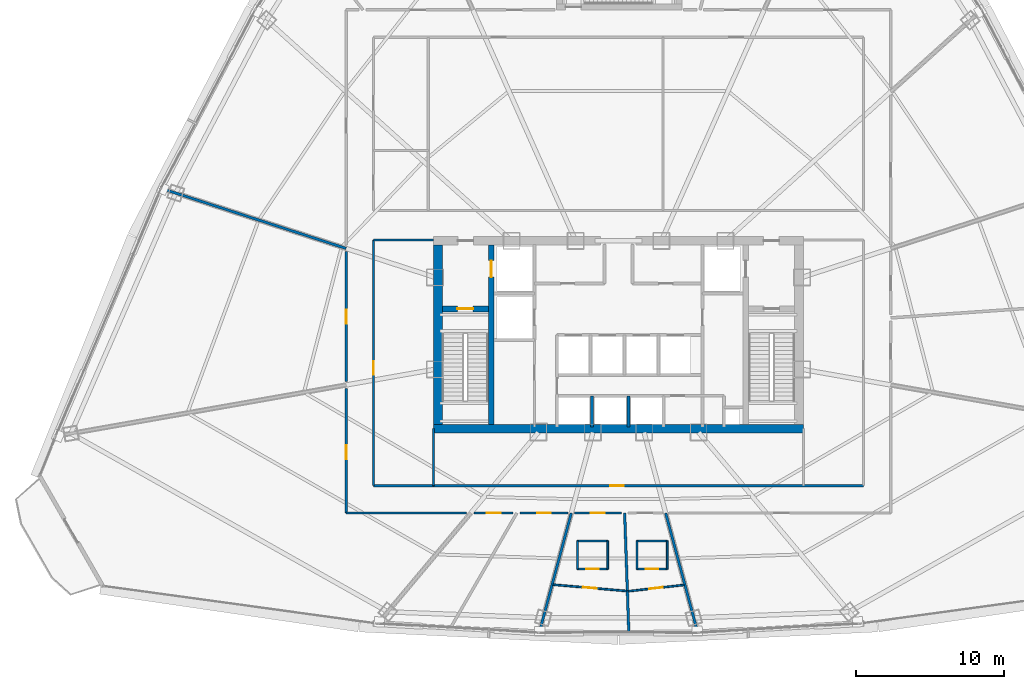
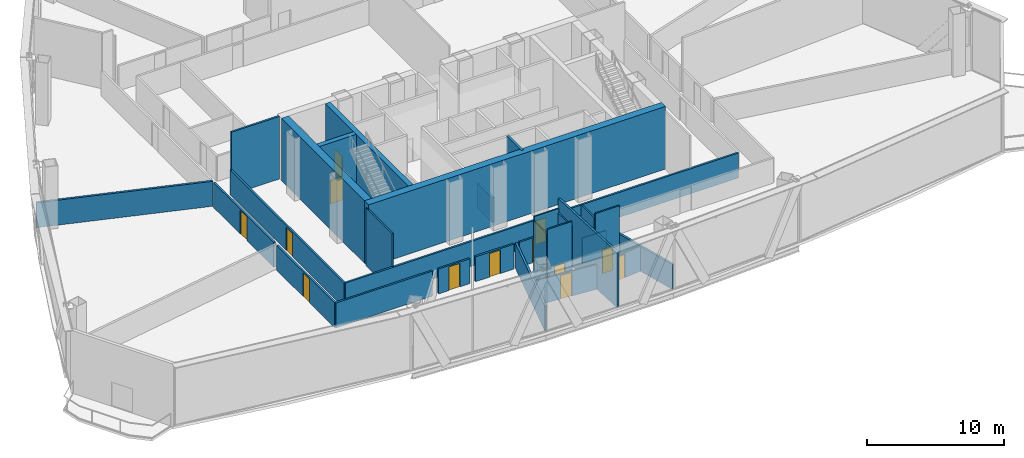
# One storey, part 33 of 40: 30 walls, 13 doors, 13 openings.
"""IFC4 building model written with IfcOpenShell, lengths in metres."""

from ifc_helpers import new_model, si_unit, direction, frame, frame_2d, origin, origin_with_axes, place, context, subcontext, project, spatial, rectangle, extrude, source, transform, mapped, material, layer, layer_set, type_object, element, fill, save


model = new_model("IFC4")

# Units and contexts
model_context = context("Model", 3, precision=1e-05, world=origin(), true_north=direction((0.0, 1.0)))
body_context = subcontext(model_context, "Body", "Model", "MODEL_VIEW")
ifc_project = project(units=[si_unit("LENGTHUNIT", "METRE"), si_unit("AREAUNIT", "SQUARE_METRE"), si_unit("VOLUMEUNIT", "CUBIC_METRE"), si_unit("PLANEANGLEUNIT", "RADIAN"), si_unit("MASSUNIT", "GRAM", prefix="KILO"), si_unit("THERMODYNAMICTEMPERATUREUNIT", "KELVIN"), si_unit("POWERUNIT", "WATT")], contexts=[model_context])

# Site, building, storey
site_placement = place(None, origin())
site = spatial("IfcSite", under=ifc_project, at=site_placement, CompositionType="ELEMENT")
building_placement = place(site_placement, origin())
building = spatial("IfcBuilding", under=site, at=building_placement, Name="Yunzhuo Pagoda Commons", CompositionType="ELEMENT")
storey_placement = place(building_placement, frame((0.0, 0.0, 170.31005859375)))
storey = spatial("IfcBuildingStorey", under=building, at=storey_placement, Name="L43", CompositionType="ELEMENT", Elevation=170.31005859375)

# Walls
ifc_material_1 = material(Name="Concrete C60", Category="concrete")
ifc_layer_1 = layer(ifc_material_1, 0.60009765625)
ifc_layer_set_1 = layer_set([ifc_layer_1], Name="Concrete C60")
wall_type_1 = type_object("IfcWallType", Name="W-C02 Mid Core Shear Wall 600", PredefinedType="SHEAR", material=ifc_layer_set_1)
wall_1_placement = place(storey_placement, frame((35.5, 27.5, 0.0), z_axis=(0.0, 0.0, 1.0), x_axis=(1.0, 0.0, 0.0)))
element("IfcWall", 1, at=wall_1_placement, inside=storey, type_object=wall_type_1, Name="L43 core shear wall S", PredefinedType="SHEAR", context=body_context, shape_type="SweptSolid", body=[
    extrude(rectangle(XDim=25.0, YDim=0.60009765625, at=frame_2d((12.5, 0.0))), origin(), (0.0, 0.0, 1.0), 5.56982421875),
])
wall_2_placement = place(storey_placement, frame((35.800048828125, 27.800048828125, 0.0), z_axis=(0.0, 0.0, 1.0), x_axis=(0.0, 1.0, 0.0)))
element("IfcWall", 2, at=wall_2_placement, inside=storey, type_object=wall_type_1, Name="L43 core shear wall W", PredefinedType="SHEAR", context=body_context, shape_type="SweptSolid", body=[
    extrude(rectangle(XDim=12.099853515625, YDim=0.60009765625, at=frame_2d((6.0498046875, 0.0))), origin(), (0.0, 0.0, 1.0), 5.56982421875),
])

# Wall, opening, door
ifc_material_2 = material(Name="Gypsum plasterboard on acoustic stud")
ifc_layer_2 = layer(ifc_material_2, 0.155029296875)
ifc_layer_set_2 = layer_set([ifc_layer_2], Name="Gypsum plasterboard on acoustic stud")
wall_type_2 = type_object("IfcWallType", Name="W-COR2 Mid-Zone Rated Corridor Wall 155", PredefinedType="PARTITIONING", material=ifc_layer_set_2)
wall_3_placement = place(storey_placement, frame((31.449951171875, 23.64990234375, 0.0), z_axis=(0.0, 0.0, 1.0), x_axis=(0.0, 1.0, 0.0)))
wall_3 = element("IfcWall", 3, at=wall_3_placement, inside=storey, type_object=wall_type_2, Name="L43 interior wall IW-L43-SFLW", PredefinedType="PARTITIONING", context=body_context, shape_type="SweptSolid", body=[
    extrude(rectangle(XDim=16.60009765625, YDim=0.155029296875, at=frame_2d((8.300048828125, 0.0))), origin(), (0.0, 0.0, 1.0), 2.219970703125),
])
opening_1_placement = place(wall_3_placement, frame((7.5, 0.0, 0.0)))
opening_1 = element("IfcOpeningElement", 4, at=opening_1_placement, cuts=wall_3, Name="Opening D-12", PredefinedType="OPENING", context=body_context, shape_type="SweptSolid", body=[
    extrude(rectangle(XDim=0.89990234375, YDim=2.080078125, at=frame_2d((0.449951171875, 1.0400390625))), frame((0.0, 0.08740234375, 0.0), z_axis=(0.0, -1.0, 0.0), x_axis=(1.0, 0.0, 0.0)), (0.0, 0.0, 1.0), 0.175048828125),
])
ifc_material_3 = material(Name="Powder-coated aluminium and timber acoustic leaf", Category="wood")
door_type_1 = type_object("IfcDoorType", Name="D-12 Quiet Study Interior Door 900x2080", OperationType="NOTDEFINED", PredefinedType="DOOR", material=ifc_material_3)
shared_shape_1 = source(origin(), body_context, "Body", "SweptSolid", [
    extrude(rectangle(XDim=0.89990234375, YDim=2.080078125, at=frame_2d((0.449951171875, 1.0400390625))), frame((0.0, 0.02490234375, 0.0), z_axis=(0.0, -1.0, 0.0), x_axis=(1.0, 0.0, 0.0)), (0.0, 0.0, 1.0), 0.050048828125),
])
door_1_placement = place(opening_1_placement, origin_with_axes())
door_1 = element("IfcDoor", 5, at=door_1_placement, inside=storey, type_object=door_type_1, Name="L43 west study workroom door", OperationType="SINGLE_SWING_LEFT", OverallHeight=2.080078125, OverallWidth=0.89990234375, PredefinedType="DOOR", context=body_context, shape_type="MappedRepresentation", body=[
    mapped(shared_shape_1, transform((0.0, 0.0, 0.0), scale=1.0)),
])
fill(opening_1, door_1)

wall_4_placement = place(storey_placement, frame((31.449951171875, 23.64990234375, 0.0), z_axis=(0.0, 0.0, 1.0), x_axis=(1.0, 0.0, 0.0)))
wall_4 = element("IfcWall", 6, at=wall_4_placement, inside=storey, type_object=wall_type_2, Name="L43 interior wall IW-L43-SFLS", PredefinedType="PARTITIONING", context=body_context, shape_type="SweptSolid", body=[
    extrude(rectangle(XDim=33.10009765625, YDim=0.155029296875, at=frame_2d((16.550048828125, 0.0))), origin(), (0.0, 0.0, 1.0), 2.219970703125),
])
opening_2_placement = place(wall_4_placement, frame((16.0, 0.0, 0.0)))
opening_2 = element("IfcOpeningElement", 7, at=opening_2_placement, cuts=wall_4, Name="Opening D-04", PredefinedType="OPENING", context=body_context, shape_type="SweptSolid", body=[
    extrude(rectangle(XDim=0.919921875, YDim=2.10009765625, at=frame_2d((0.4599609375, 1.050048828125))), frame((0.0, 0.08740234375, 0.0), z_axis=(0.0, -1.0, 0.0), x_axis=(1.0, 0.0, 0.0)), (0.0, 0.0, 1.0), 0.175048828125),
])
door_type_2 = type_object("IfcDoorType", Name="D-04 Bedroom & Study Interior Door 920x2100", OperationType="NOTDEFINED", PredefinedType="DOOR", material=ifc_material_3)
shared_shape_2 = source(origin(), body_context, "Body", "SweptSolid", [
    extrude(rectangle(XDim=0.919921875, YDim=2.10009765625, at=frame_2d((0.4599609375, 1.050048828125))), frame((0.0, 0.02490234375, 0.0), z_axis=(0.0, -1.0, 0.0), x_axis=(1.0, 0.0, 0.0)), (0.0, 0.0, 1.0), 0.050048828125),
])
door_2_placement = place(opening_2_placement, frame((0.919921875, 0.0, 0.0), z_axis=(0.0, 0.0, 1.0), x_axis=(-1.0, 0.0, 0.0)))
door_2 = element("IfcDoor", 8, at=door_2_placement, inside=storey, type_object=door_type_2, Name="L43 south seminar room door", OperationType="SINGLE_SWING_RIGHT", OverallHeight=2.10009765625, OverallWidth=0.919921875, PredefinedType="DOOR", context=body_context, shape_type="MappedRepresentation", body=[
    mapped(shared_shape_2, transform((0.0, 0.0, 0.0), scale=1.0)),
])
fill(opening_2, door_2)

# Wall
wall_5_placement = place(storey_placement, frame((31.449951171875, 40.25, 0.0), z_axis=(0.0, 0.0, 1.0), x_axis=(1.0, 0.0, 0.0)))
element("IfcWall", 9, at=wall_5_placement, inside=storey, type_object=wall_type_2, Name="L43 interior wall IW-L43-SFLNW", PredefinedType="PARTITIONING", context=body_context, shape_type="SweptSolid", body=[
    extrude(rectangle(XDim=4.050048828125, YDim=0.155029296875, at=frame_2d((2.02490234375, 0.0))), origin(), (0.0, 0.0, 1.0), 5.56982421875),
])

# Wall, opening, door
wall_6_placement = place(storey_placement, frame((29.60009765625, 21.800048828125, 0.0), z_axis=(0.0, 0.0, 1.0), x_axis=(0.0, 1.0, 0.0)))
wall_6 = element("IfcWall", 10, at=wall_6_placement, inside=storey, type_object=wall_type_2, Name="L43 interior wall IW-L43-CWL01", PredefinedType="PARTITIONING", context=body_context, shape_type="SweptSolid", body=[
    extrude(rectangle(XDim=8.43212890625, YDim=0.155029296875, at=frame_2d((4.216064453125, 0.0))), origin(), (0.0, 0.0, 1.0), 2.219970703125),
])
opening_3_placement = place(wall_6_placement, frame((3.622802734375, 0.0, 0.0)))
opening_3 = element("IfcOpeningElement", 11, at=opening_3_placement, cuts=wall_6, Name="Opening D-07", PredefinedType="OPENING", context=body_context, shape_type="SweptSolid", body=[
    extrude(rectangle(XDim=0.9599609375, YDim=2.1201171875, at=frame_2d((0.47998046875, 1.06005859375))), frame((0.0, 0.08740234375, 0.0), z_axis=(0.0, -1.0, 0.0), x_axis=(1.0, 0.0, 0.0)), (0.0, 0.0, 1.0), 0.175048828125),
])
ifc_material_4 = material(Name="Galvanized fire-resisting metal leaf")
door_type_3 = type_object("IfcDoorType", Name="D-07 Mid-Zone Suite Entrance Fire Door 960x2120", OperationType="NOTDEFINED", PredefinedType="DOOR", material=ifc_material_4)
shared_shape_3 = source(origin(), body_context, "Body", "SweptSolid", [
    extrude(rectangle(XDim=0.9599609375, YDim=2.1201171875, at=frame_2d((0.47998046875, 1.06005859375))), frame((0.0, 0.02490234375, 0.0), z_axis=(0.0, -1.0, 0.0), x_axis=(1.0, 0.0, 0.0)), (0.0, 0.0, 1.0), 0.050048828125),
])
door_3_placement = place(opening_3_placement, origin_with_axes())
door_3 = element("IfcDoor", 12, at=door_3_placement, inside=storey, type_object=door_type_3, Name="L43 unit 09 entrance door", OperationType="SINGLE_SWING_RIGHT", OverallHeight=2.1201171875, OverallWidth=0.9599609375, PredefinedType="DOOR", context=body_context, shape_type="MappedRepresentation", body=[
    mapped(shared_shape_3, transform((0.0, 0.0, 0.0), scale=1.0)),
])
fill(opening_3, door_3)

wall_7_placement = place(storey_placement, frame((29.60009765625, 30.67529296875, 0.0), z_axis=(0.0, 0.0, 1.0), x_axis=(0.0, 1.0, 0.0)))
wall_7 = element("IfcWall", 13, at=wall_7_placement, inside=storey, type_object=wall_type_2, Name="L43 interior wall IW-L43-CWL02", PredefinedType="PARTITIONING", context=body_context, shape_type="SweptSolid", body=[
    extrude(rectangle(XDim=8.783447265625, YDim=0.155029296875, at=frame_2d((4.3916015625, 0.0))), origin(), (0.0, 0.0, 1.0), 2.219970703125),
])
opening_4_placement = place(wall_7_placement, frame((3.916748046875, 0.0, 0.0)))
opening_4 = element("IfcOpeningElement", 14, at=opening_4_placement, cuts=wall_7, Name="Opening D-07", PredefinedType="OPENING", context=body_context, shape_type="SweptSolid", body=[
    extrude(rectangle(XDim=0.9599609375, YDim=2.1201171875, at=frame_2d((0.47998046875, 1.06005859375))), frame((0.0, 0.08740234375, 0.0), z_axis=(0.0, -1.0, 0.0), x_axis=(1.0, 0.0, 0.0)), (0.0, 0.0, 1.0), 0.175048828125),
])
door_4_placement = place(opening_4_placement, origin_with_axes())
door_4 = element("IfcDoor", 15, at=door_4_placement, inside=storey, type_object=door_type_3, Name="L43 unit 08 entrance door", OperationType="SINGLE_SWING_LEFT", OverallHeight=2.1201171875, OverallWidth=0.9599609375, PredefinedType="DOOR", context=body_context, shape_type="MappedRepresentation", body=[
    mapped(shared_shape_3, transform((0.0, 0.0, 0.0), scale=1.0)),
])
fill(opening_4, door_4)

wall_8_placement = place(storey_placement, frame((48.19580078125, 21.800048828125, 0.0), z_axis=(0.0, 0.0, 1.0), x_axis=(-1.0, 0.0, 0.0)))
wall_8 = element("IfcWall", 16, at=wall_8_placement, inside=storey, type_object=wall_type_2, Name="L43 interior wall IW-L43-CWL17", PredefinedType="PARTITIONING", context=body_context, shape_type="SweptSolid", body=[
    extrude(rectangle(XDim=3.16455078125, YDim=0.155029296875, at=frame_2d((1.582275390625, 0.0))), origin(), (0.0, 0.0, 1.0), 2.219970703125),
])
opening_5_placement = place(wall_8_placement, frame((1.107421875, 0.0, 0.0)))
opening_5 = element("IfcOpeningElement", 17, at=opening_5_placement, cuts=wall_8, Name="Opening D-07", PredefinedType="OPENING", context=body_context, shape_type="SweptSolid", body=[
    extrude(rectangle(XDim=0.9599609375, YDim=2.1201171875, at=frame_2d((0.47998046875, 1.06005859375))), frame((0.0, 0.08740234375, 0.0), z_axis=(0.0, -1.0, 0.0), x_axis=(1.0, 0.0, 0.0)), (0.0, 0.0, 1.0), 0.175048828125),
])
door_5_placement = place(opening_5_placement, origin_with_axes())
door_5 = element("IfcDoor", 18, at=door_5_placement, inside=storey, type_object=door_type_3, Name="L43 unit 12 entrance door", OperationType="SINGLE_SWING_LEFT", OverallHeight=2.1201171875, OverallWidth=0.9599609375, PredefinedType="DOOR", context=body_context, shape_type="MappedRepresentation", body=[
    mapped(shared_shape_3, transform((0.0, 0.0, 0.0), scale=1.0)),
])
fill(opening_5, door_5)

wall_9_placement = place(storey_placement, frame((44.58349609375, 21.800048828125, 0.0), z_axis=(0.0, 0.0, 1.0), x_axis=(-1.0, 0.0, 0.0)))
wall_9 = element("IfcWall", 19, at=wall_9_placement, inside=storey, type_object=wall_type_2, Name="L43 interior wall IW-L43-CWL18", PredefinedType="PARTITIONING", context=body_context, shape_type="SweptSolid", body=[
    extrude(rectangle(XDim=3.234130859375, YDim=0.155029296875, at=frame_2d((1.6171875, 0.0))), origin(), (0.0, 0.0, 1.0), 2.219970703125),
])
opening_6_placement = place(wall_9_placement, frame((1.153076171875, 0.0, 0.0)))
opening_6 = element("IfcOpeningElement", 20, at=opening_6_placement, cuts=wall_9, Name="Opening D-04", PredefinedType="OPENING", context=body_context, shape_type="SweptSolid", body=[
    extrude(rectangle(XDim=0.919921875, YDim=2.10009765625, at=frame_2d((0.4599609375, 1.050048828125))), frame((0.0, 0.08740234375, 0.0), z_axis=(0.0, -1.0, 0.0), x_axis=(1.0, 0.0, 0.0)), (0.0, 0.0, 1.0), 0.175048828125),
])
door_6_placement = place(opening_6_placement, origin_with_axes())
door_6 = element("IfcDoor", 21, at=door_6_placement, inside=storey, type_object=door_type_2, Name="L43 fellow workroom 11 door", OperationType="SINGLE_SWING_RIGHT", OverallHeight=2.10009765625, OverallWidth=0.919921875, PredefinedType="DOOR", context=body_context, shape_type="MappedRepresentation", body=[
    mapped(shared_shape_2, transform((0.0, 0.0, 0.0), scale=1.0)),
])
fill(opening_6, door_6)

wall_10_placement = place(storey_placement, frame((40.87548828125, 21.800048828125, 0.0), z_axis=(0.0, 0.0, 1.0), x_axis=(-1.0, 0.0, 0.0)))
wall_10 = element("IfcWall", 22, at=wall_10_placement, inside=storey, type_object=wall_type_2, Name="L43 interior wall IW-L43-CWL19", PredefinedType="PARTITIONING", context=body_context, shape_type="SweptSolid", body=[
    extrude(rectangle(XDim=2.640869140625, YDim=0.155029296875, at=frame_2d((1.3203125, 0.0))), origin(), (0.0, 0.0, 1.0), 2.219970703125),
])
opening_7_placement = place(wall_10_placement, frame((0.843505859375, 0.0, 0.0)))
opening_7 = element("IfcOpeningElement", 23, at=opening_7_placement, cuts=wall_10, Name="Opening D-04", PredefinedType="OPENING", context=body_context, shape_type="SweptSolid", body=[
    extrude(rectangle(XDim=0.919921875, YDim=2.10009765625, at=frame_2d((0.4599609375, 1.050048828125))), frame((0.0, 0.08740234375, 0.0), z_axis=(0.0, -1.0, 0.0), x_axis=(1.0, 0.0, 0.0)), (0.0, 0.0, 1.0), 0.175048828125),
])
door_7_placement = place(opening_7_placement, origin_with_axes())
door_7 = element("IfcDoor", 24, at=door_7_placement, inside=storey, type_object=door_type_2, Name="L43 fellow workroom 10 door", OperationType="SINGLE_SWING_LEFT", OverallHeight=2.10009765625, OverallWidth=0.919921875, PredefinedType="DOOR", context=body_context, shape_type="MappedRepresentation", body=[
    mapped(shared_shape_2, transform((0.0, 0.0, 0.0), scale=1.0)),
])
fill(opening_7, door_7)

# Walls
wall_11_placement = place(storey_placement, frame((37.7275390625, 21.800048828125, 0.0), z_axis=(0.0, 0.0, 1.0), x_axis=(-1.0, 0.0, 0.0)))
element("IfcWall", 25, at=wall_11_placement, inside=storey, type_object=wall_type_2, Name="L43 interior wall IW-L43-CWL20", PredefinedType="PARTITIONING", context=body_context, shape_type="SweptSolid", body=[
    extrude(rectangle(XDim=8.12744140625, YDim=0.155029296875, at=frame_2d((4.063720703125, 0.0))), origin(), (0.0, 0.0, 1.0), 2.219970703125),
])
ifc_layer_3 = layer(ifc_material_2, 0.1201171875)
ifc_layer_set_3 = layer_set([ifc_layer_3], Name="Gypsum plasterboard on acoustic stud")
wall_type_3 = type_object("IfcWallType", Name="W-PRT1 Suite & Bathroom Partition 120", PredefinedType="PARTITIONING", material=ifc_layer_set_3)
wall_12_placement = place(storey_placement, frame((35.5, 23.64990234375, 0.0), z_axis=(0.0, 0.0, 1.0), x_axis=(0.0, 1.0, 0.0)))
element("IfcWall", 26, at=wall_12_placement, inside=storey, type_object=wall_type_3, Name="L43 interior wall IW-L43-SFLD1", PredefinedType="PARTITIONING", context=body_context, shape_type="SweptSolid", body=[
    extrude(rectangle(XDim=3.85009765625, YDim=0.1201171875, at=frame_2d((1.925048828125, 0.0))), origin(), (0.0, 0.0, 1.0), 5.169921875),
])

# Wall, opening, door
wall_13_placement = place(storey_placement, frame((45.22900390625, 18.02001953125, 0.0), z_axis=(0.0, 0.0, 1.0), x_axis=(1.0, 0.0, 0.0)))
wall_13 = element("IfcWall", 27, at=wall_13_placement, inside=storey, type_object=wall_type_3, Name="L43 interior wall IW-L43-B12S", PredefinedType="PARTITIONING", context=body_context, shape_type="SweptSolid", body=[
    extrude(rectangle(XDim=2.050048828125, YDim=0.1201171875, at=frame_2d((1.02490234375, 0.0))), origin(), (0.0, 0.0, 1.0), 5.56982421875),
])
opening_8_placement = place(wall_13_placement, frame((0.60009765625, 0.0, 0.0)))
opening_8 = element("IfcOpeningElement", 28, at=opening_8_placement, cuts=wall_13, Name="Opening D-05", PredefinedType="OPENING", context=body_context, shape_type="SweptSolid", body=[
    extrude(rectangle(XDim=0.85009765625, YDim=2.10009765625, at=frame_2d((0.425048828125, 1.050048828125))), frame((0.0, 0.070068359375, 0.0), z_axis=(0.0, -1.0, 0.0), x_axis=(1.0, 0.0, 0.0)), (0.0, 0.0, 1.0), 0.14013671875),
])
door_type_4 = type_object("IfcDoorType", Name="D-05 En-Suite Bathroom Door 850x2100", OperationType="NOTDEFINED", PredefinedType="DOOR", material=ifc_material_3)
shared_shape_4 = source(origin(), body_context, "Body", "SweptSolid", [
    extrude(rectangle(XDim=0.85009765625, YDim=2.10009765625, at=frame_2d((0.425048828125, 1.050048828125))), frame((0.0, 0.02490234375, 0.0), z_axis=(0.0, -1.0, 0.0), x_axis=(1.0, 0.0, 0.0)), (0.0, 0.0, 1.0), 0.050048828125),
])
door_8_placement = place(opening_8_placement, frame((0.85009765625, 0.0, 0.0), z_axis=(0.0, 0.0, 1.0), x_axis=(-1.0, 0.0, 0.0)))
door_8 = element("IfcDoor", 29, at=door_8_placement, inside=storey, type_object=door_type_4, Name="L43 unit 12 bathroom door", OperationType="SINGLE_SWING_LEFT", OverallHeight=2.10009765625, OverallWidth=0.85009765625, PredefinedType="DOOR", context=body_context, shape_type="MappedRepresentation", body=[
    mapped(shared_shape_4, transform((0.0, 0.0, 0.0), scale=1.0)),
])
fill(opening_8, door_8)

# Walls
wall_14_placement = place(storey_placement, frame((47.279052734375, 18.02001953125, 0.0), z_axis=(0.0, 0.0, 1.0), x_axis=(0.0, 1.0, 0.0)))
element("IfcWall", 30, at=wall_14_placement, inside=storey, type_object=wall_type_3, Name="L43 interior wall IW-L43-B12E", PredefinedType="PARTITIONING", context=body_context, shape_type="SweptSolid", body=[
    extrude(rectangle(XDim=1.89990234375, YDim=0.1201171875, at=frame_2d((0.949951171875, 0.0))), origin(), (0.0, 0.0, 1.0), 5.169921875),
])
wall_15_placement = place(storey_placement, frame((47.279052734375, 19.919921875, 0.0), z_axis=(0.0, 0.0, 1.0), x_axis=(-1.0, 0.0, 0.0)))
element("IfcWall", 31, at=wall_15_placement, inside=storey, type_object=wall_type_3, Name="L43 interior wall IW-L43-B12N", PredefinedType="PARTITIONING", context=body_context, shape_type="SweptSolid", body=[
    extrude(rectangle(XDim=2.050048828125, YDim=0.1201171875, at=frame_2d((1.02490234375, 0.0))), origin(), (0.0, 0.0, 1.0), 5.56982421875),
])
wall_16_placement = place(storey_placement, frame((45.22900390625, 19.919921875, 0.0), z_axis=(0.0, 0.0, 1.0), x_axis=(0.0, -1.0, 0.0)))
element("IfcWall", 32, at=wall_16_placement, inside=storey, type_object=wall_type_3, Name="L43 interior wall IW-L43-B12W", PredefinedType="PARTITIONING", context=body_context, shape_type="SweptSolid", body=[
    extrude(rectangle(XDim=1.89990234375, YDim=0.1201171875, at=frame_2d((0.949951171875, 0.0))), origin(), (0.0, 0.0, 1.0), 5.169921875),
])

# Wall, opening, door
wall_17_placement = place(storey_placement, frame((43.577392578125, 16.96240234375, 0.0), z_axis=(0.0, 0.0, 1.0), x_axis=(0.996284419504, -0.086124070114, 0.0)))
wall_17 = element("IfcWall", 33, at=wall_17_placement, inside=storey, type_object=wall_type_3, Name="L43 interior wall IW-L43-CLB12", PredefinedType="PARTITIONING", context=body_context, shape_type="SweptSolid", body=[
    extrude(rectangle(XDim=4.980712890625, YDim=0.1201171875, at=frame_2d((2.490234375, 0.0))), origin(), (0.0, 0.0, 1.0), 2.219970703125),
])
opening_9_placement = place(wall_17_placement, frame((2.030517578125, 0.0, 0.0)))
opening_9 = element("IfcOpeningElement", 34, at=opening_9_placement, cuts=wall_17, Name="Opening D-04", PredefinedType="OPENING", context=body_context, shape_type="SweptSolid", body=[
    extrude(rectangle(XDim=0.919921875, YDim=2.10009765625, at=frame_2d((0.4599609375, 1.050048828125))), frame((0.0, 0.070068359375, 0.0), z_axis=(0.0, -1.0, 0.0), x_axis=(1.0, 0.0, 0.0)), (0.0, 0.0, 1.0), 0.14013671875),
])
door_9_placement = place(opening_9_placement, origin_with_axes())
door_9 = element("IfcDoor", 35, at=door_9_placement, inside=storey, type_object=door_type_2, Name="L43 suite 12 bedroom door", OperationType="SINGLE_SWING_LEFT", OverallHeight=2.10009765625, OverallWidth=0.919921875, PredefinedType="DOOR", context=body_context, shape_type="MappedRepresentation", body=[
    mapped(shared_shape_2, transform((0.0, 0.0, 0.0), scale=1.0)),
])
fill(opening_9, door_9)

wall_18_placement = place(storey_placement, frame((49.24609375, 18.01708984375, 0.0), z_axis=(0.0, 0.0, 1.0), x_axis=(1.0, 0.0, 0.0)))
wall_18 = element("IfcWall", 36, at=wall_18_placement, inside=storey, type_object=wall_type_3, Name="L43 interior wall IW-L43-B13S", PredefinedType="PARTITIONING", context=body_context, shape_type="SweptSolid", body=[
    extrude(rectangle(XDim=2.0498046875, YDim=0.1201171875, at=frame_2d((1.02490234375, 0.0))), origin(), (0.0, 0.0, 1.0), 5.56982421875),
])
opening_10_placement = place(wall_18_placement, frame((0.60009765625, 0.0, 0.0)))
opening_10 = element("IfcOpeningElement", 37, at=opening_10_placement, cuts=wall_18, Name="Opening D-05", PredefinedType="OPENING", context=body_context, shape_type="SweptSolid", body=[
    extrude(rectangle(XDim=0.85009765625, YDim=2.10009765625, at=frame_2d((0.425048828125, 1.050048828125))), frame((0.0, 0.070068359375, 0.0), z_axis=(0.0, -1.0, 0.0), x_axis=(1.0, 0.0, 0.0)), (0.0, 0.0, 1.0), 0.14013671875),
])
door_10_placement = place(opening_10_placement, frame((0.85009765625, 0.0, 0.0), z_axis=(0.0, 0.0, 1.0), x_axis=(-1.0, 0.0, 0.0)))
door_10 = element("IfcDoor", 38, at=door_10_placement, inside=storey, type_object=door_type_4, Name="L43 unit 13 bathroom door", OperationType="SINGLE_SWING_RIGHT", OverallHeight=2.10009765625, OverallWidth=0.85009765625, PredefinedType="DOOR", context=body_context, shape_type="MappedRepresentation", body=[
    mapped(shared_shape_4, transform((0.0, 0.0, 0.0), scale=1.0)),
])
fill(opening_10, door_10)

# Walls
wall_19_placement = place(storey_placement, frame((51.2958984375, 18.01708984375, 0.0), z_axis=(0.0, 0.0, 1.0), x_axis=(0.0, 1.0, 0.0)))
element("IfcWall", 39, at=wall_19_placement, inside=storey, type_object=wall_type_3, Name="L43 interior wall IW-L43-B13E", PredefinedType="PARTITIONING", context=body_context, shape_type="SweptSolid", body=[
    extrude(rectangle(XDim=1.89990234375, YDim=0.1201171875, at=frame_2d((0.949951171875, 0.0))), origin(), (0.0, 0.0, 1.0), 2.219970703125),
])
wall_20_placement = place(storey_placement, frame((51.2958984375, 19.9169921875, 0.0), z_axis=(0.0, 0.0, 1.0), x_axis=(-1.0, 0.0, 0.0)))
element("IfcWall", 40, at=wall_20_placement, inside=storey, type_object=wall_type_3, Name="L43 interior wall IW-L43-B13N", PredefinedType="PARTITIONING", context=body_context, shape_type="SweptSolid", body=[
    extrude(rectangle(XDim=2.0498046875, YDim=0.1201171875, at=frame_2d((1.02490234375, 0.0))), origin(), (0.0, 0.0, 1.0), 2.219970703125),
])
wall_21_placement = place(storey_placement, frame((49.24609375, 19.9169921875, 0.0), z_axis=(0.0, 0.0, 1.0), x_axis=(0.0, -1.0, 0.0)))
element("IfcWall", 41, at=wall_21_placement, inside=storey, type_object=wall_type_3, Name="L43 interior wall IW-L43-B13W", PredefinedType="PARTITIONING", context=body_context, shape_type="SweptSolid", body=[
    extrude(rectangle(XDim=1.89990234375, YDim=0.1201171875, at=frame_2d((0.949951171875, 0.0))), origin(), (0.0, 0.0, 1.0), 5.169921875),
])

# Wall, opening, door
wall_22_placement = place(storey_placement, frame((48.66015625, 16.518310546875, 0.0), z_axis=(0.0, 0.0, 1.0), x_axis=(0.993740790244, 0.111710526829, 0.0)))
wall_22 = element("IfcWall", 42, at=wall_22_placement, inside=storey, type_object=wall_type_3, Name="L43 interior wall IW-L43-CLB13", PredefinedType="PARTITIONING", context=body_context, shape_type="SweptSolid", body=[
    extrude(rectangle(XDim=3.791748046875, YDim=0.1201171875, at=frame_2d((1.89599609375, 0.0))), origin(), (0.0, 0.0, 1.0), 2.219970703125),
])
opening_11_placement = place(wall_22_placement, frame((1.435791015625, 0.0, 0.0)))
opening_11 = element("IfcOpeningElement", 43, at=opening_11_placement, cuts=wall_22, Name="Opening D-04", PredefinedType="OPENING", context=body_context, shape_type="SweptSolid", body=[
    extrude(rectangle(XDim=0.919921875, YDim=2.10009765625, at=frame_2d((0.4599609375, 1.050048828125))), frame((0.0, 0.070068359375, 0.0), z_axis=(0.0, -1.0, 0.0), x_axis=(1.0, 0.0, 0.0)), (0.0, 0.0, 1.0), 0.14013671875),
])
door_11_placement = place(opening_11_placement, origin_with_axes())
door_11 = element("IfcDoor", 44, at=door_11_placement, inside=storey, type_object=door_type_2, Name="L43 suite 13 bedroom door", OperationType="SINGLE_SWING_RIGHT", OverallHeight=2.10009765625, OverallWidth=0.919921875, PredefinedType="DOOR", context=body_context, shape_type="MappedRepresentation", body=[
    mapped(shared_shape_2, transform((0.0, 0.0, 0.0), scale=1.0)),
])
fill(opening_11, door_11)

# Walls
ifc_layer_4 = layer(ifc_material_2, 0.175048828125)
ifc_layer_set_4 = layer_set([ifc_layer_4], Name="Gypsum plasterboard on acoustic stud")
wall_type_4 = type_object("IfcWallType", Name="W-PRT3 Mid-Zone Demising Wall 175", PredefinedType="PARTITIONING", material=ifc_layer_set_4)
wall_23_placement = place(storey_placement, frame((29.60009765625, 39.678466796875, 0.0), z_axis=(0.0, 0.0, 1.0), x_axis=(-0.951058745875, 0.309010132349, 0.0)))
element("IfcWall", 45, at=wall_23_placement, inside=storey, type_object=wall_type_4, Name="L43 interior wall IW-L43-RAD08", PredefinedType="PARTITIONING", context=body_context, shape_type="SweptSolid", body=[
    extrude(rectangle(XDim=13.157958984375, YDim=0.175048828125, at=frame_2d((6.5791015625, 0.0))), origin(), (0.0, 0.0, 1.0), 2.219970703125),
])
wall_24_placement = place(storey_placement, frame((44.811279296875, 21.800048828125, 0.0), z_axis=(0.0, 0.0, 1.0), x_axis=(-0.258819593461, -0.965925679357, 0.0)))
element("IfcWall", 46, at=wall_24_placement, inside=storey, type_object=wall_type_4, Name="L43 interior wall IW-L43-RAD12", PredefinedType="PARTITIONING", context=body_context, shape_type="SweptSolid", body=[
    extrude(rectangle(XDim=8.378173828125, YDim=0.175048828125, at=frame_2d((4.18896484375, 0.0))), origin(), (0.0, 0.0, 1.0), 2.219970703125),
])
wall_25_placement = place(storey_placement, frame((48.41552734375, 21.800048828125, 0.0), z_axis=(0.0, 0.0, 1.0), x_axis=(0.034912936952, -0.999390357585, 0.0)))
element("IfcWall", 47, at=wall_25_placement, inside=storey, type_object=wall_type_4, Name="L43 interior wall IW-L43-RAD13", PredefinedType="PARTITIONING", context=body_context, shape_type="SweptSolid", body=[
    extrude(rectangle(XDim=8.09765625, YDim=0.175048828125, at=frame_2d((4.048828125, 0.0))), origin(), (0.0, 0.0, 1.0), 4.919921875),
])
wall_26_placement = place(storey_placement, frame((51.188720703125, 21.800048828125, 0.0), z_axis=(0.0, 0.0, 1.0), x_axis=(0.258819593461, -0.965925679357, 0.0)))
element("IfcWall", 48, at=wall_26_placement, inside=storey, type_object=wall_type_4, Name="L43 interior wall IW-L43-RAD14", PredefinedType="PARTITIONING", context=body_context, shape_type="SweptSolid", body=[
    extrude(rectangle(XDim=8.378173828125, YDim=0.175048828125, at=frame_2d((4.18896484375, 0.0))), origin(), (0.0, 0.0, 1.0), 2.219970703125),
])

# Wall, opening, door
ifc_layer_5 = layer(ifc_material_1, 0.39990234375)
ifc_layer_set_5 = layer_set([ifc_layer_5], Name="Concrete C60")
wall_type_5 = type_object("IfcWallType", Name="W-S01 Internal Core Shear Web 400", PredefinedType="SHEAR", material=ifc_layer_set_5)
wall_27_placement = place(storey_placement, frame((39.39990234375, 27.800048828125, 0.0), z_axis=(0.0, 0.0, 1.0), x_axis=(0.0, 1.0, 0.0)))
wall_27 = element("IfcWall", 49, at=wall_27_placement, inside=storey, type_object=wall_type_5, Name="L43 core shear wall WEBW", PredefinedType="SHEAR", context=body_context, shape_type="SweptSolid", body=[
    extrude(rectangle(XDim=12.099853515625, YDim=0.39990234375, at=frame_2d((6.0498046875, 0.0))), origin(), (0.0, 0.0, 1.0), 5.56982421875),
])
opening_12_placement = place(wall_27_placement, frame((9.949951171875, 0.0, 0.0)))
opening_12 = element("IfcOpeningElement", 50, at=opening_12_placement, cuts=wall_27, Name="Opening LD-01", PredefinedType="OPENING", context=body_context, shape_type="SweptSolid", body=[
    extrude(rectangle(XDim=1.10009765625, YDim=2.10009765625, at=frame_2d((0.550048828125, 1.050048828125))), frame((0.0, 0.2099609375, 0.0), z_axis=(0.0, -1.0, 0.0), x_axis=(1.0, 0.0, 0.0)), (0.0, 0.0, 1.0), 0.419921875),
])
door_type_5 = type_object("IfcDoorType", Name="LD-01 Firefighting Lift Landing Door 1100x2100", OperationType="DOUBLE_DOOR_SLIDING", PredefinedType="DOOR", material=ifc_material_4)
shared_shape_5 = source(origin(), body_context, "Body", "SweptSolid", [
    extrude(rectangle(XDim=1.10009765625, YDim=2.10009765625, at=frame_2d((0.550048828125, 1.050048828125))), frame((0.0, 0.02490234375, 0.0), z_axis=(0.0, -1.0, 0.0), x_axis=(1.0, 0.0, 0.0)), (0.0, 0.0, 1.0), 0.050048828125),
])
door_12_placement = place(opening_12_placement, frame((1.10009765625, 0.0, 0.0), z_axis=(0.0, 0.0, 1.0), x_axis=(-1.0, 0.0, 0.0)))
door_12 = element("IfcDoor", 51, at=door_12_placement, inside=storey, type_object=door_type_5, Name="L43 Firefighting lift FL-1 landing door", OperationType="DOUBLE_DOOR_SLIDING", OverallHeight=2.10009765625, OverallWidth=1.10009765625, PredefinedType="DOOR", context=body_context, shape_type="MappedRepresentation", body=[
    mapped(shared_shape_5, transform((0.0, 0.0, 0.0), scale=1.0)),
])
fill(opening_12, door_12)

wall_28_placement = place(storey_placement, frame((36.10009765625, 35.60009765625, 0.0), z_axis=(0.0, 0.0, 1.0), x_axis=(1.0, 0.0, 0.0)))
wall_28 = element("IfcWall", 52, at=wall_28_placement, inside=storey, type_object=wall_type_5, Name="L43 core shear wall STW", PredefinedType="SHEAR", context=body_context, shape_type="SweptSolid", body=[
    extrude(rectangle(XDim=3.099853515625, YDim=0.39990234375, at=frame_2d((1.5498046875, 0.0))), origin(), (0.0, 0.0, 1.0), 5.56982421875),
])
opening_13_placement = place(wall_28_placement, frame((1.02001953125, 0.0, 0.0)))
opening_13 = element("IfcOpeningElement", 53, at=opening_13_placement, cuts=wall_28, Name="Opening D-01", PredefinedType="OPENING", context=body_context, shape_type="SweptSolid", body=[
    extrude(rectangle(XDim=1.050048828125, YDim=2.10009765625, at=frame_2d((0.52490234375, 1.050048828125))), frame((0.0, 0.2099609375, 0.0), z_axis=(0.0, -1.0, 0.0), x_axis=(1.0, 0.0, 0.0)), (0.0, 0.0, 1.0), 0.419921875),
])
door_type_6 = type_object("IfcDoorType", Name="D-01 Smokeproof Stair Fire Door 1050x2100", OperationType="NOTDEFINED", PredefinedType="DOOR", material=ifc_material_4)
shared_shape_6 = source(origin(), body_context, "Body", "SweptSolid", [
    extrude(rectangle(XDim=1.050048828125, YDim=2.10009765625, at=frame_2d((0.52490234375, 1.050048828125))), frame((0.0, 0.02490234375, 0.0), z_axis=(0.0, -1.0, 0.0), x_axis=(1.0, 0.0, 0.0)), (0.0, 0.0, 1.0), 0.050048828125),
])
door_13_placement = place(opening_13_placement, frame((1.050048828125, 0.0, 0.0), z_axis=(0.0, 0.0, 1.0), x_axis=(-1.0, 0.0, 0.0)))
door_13 = element("IfcDoor", 54, at=door_13_placement, inside=storey, type_object=door_type_6, Name="L43 Stair ST1 fire door", OperationType="SINGLE_SWING_LEFT", OverallHeight=2.10009765625, OverallWidth=1.050048828125, PredefinedType="DOOR", context=body_context, shape_type="MappedRepresentation", body=[
    mapped(shared_shape_6, transform((0.0, 0.0, 0.0), scale=1.0)),
])
fill(opening_13, door_13)

# Walls
ifc_material_5 = material(Name="Concrete C40", Category="concrete")
ifc_layer_6 = layer(ifc_material_5, 0.199951171875)
ifc_layer_set_6 = layer_set([ifc_layer_6], Name="Concrete C40")
wall_type_6 = type_object("IfcWallType", Name="W-SHF Shaft & Stair Enclosure Wall 200", PredefinedType="SOLIDWALL", material=ifc_layer_set_6)
wall_29_placement = place(storey_placement, frame((46.22509765625, 27.60009765625, 0.0), z_axis=(0.0, 0.0, 1.0), x_axis=(0.0, 1.0, 0.0)))
element("IfcWall", 55, at=wall_29_placement, inside=storey, type_object=wall_type_6, Name="L43 interior wall IW-L43-PLHD1", PredefinedType="SOLIDWALL", context=body_context, shape_type="SweptSolid", body=[
    extrude(rectangle(XDim=2.119873046875, YDim=0.199951171875, at=frame_2d((1.06005859375, 0.0))), origin(), (0.0, 0.0, 1.0), 2.219970703125),
])
wall_30_placement = place(storey_placement, frame((48.675048828125, 27.60009765625, 0.0), z_axis=(0.0, 0.0, 1.0), x_axis=(0.0, 1.0, 0.0)))
element("IfcWall", 56, at=wall_30_placement, inside=storey, type_object=wall_type_6, Name="L43 interior wall IW-L43-PLHD2", PredefinedType="SOLIDWALL", context=body_context, shape_type="SweptSolid", body=[
    extrude(rectangle(XDim=2.119873046875, YDim=0.199951171875, at=frame_2d((1.06005859375, 0.0))), origin(), (0.0, 0.0, 1.0), 5.56982421875),
])

save(model, "model.ifc")
